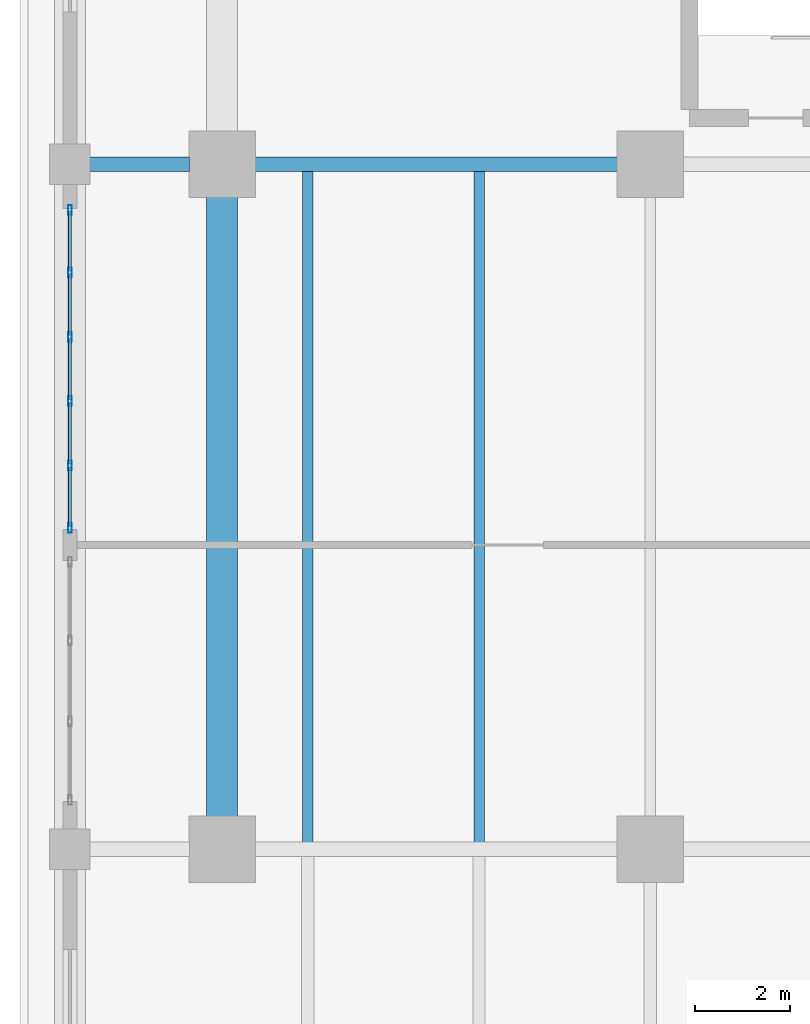
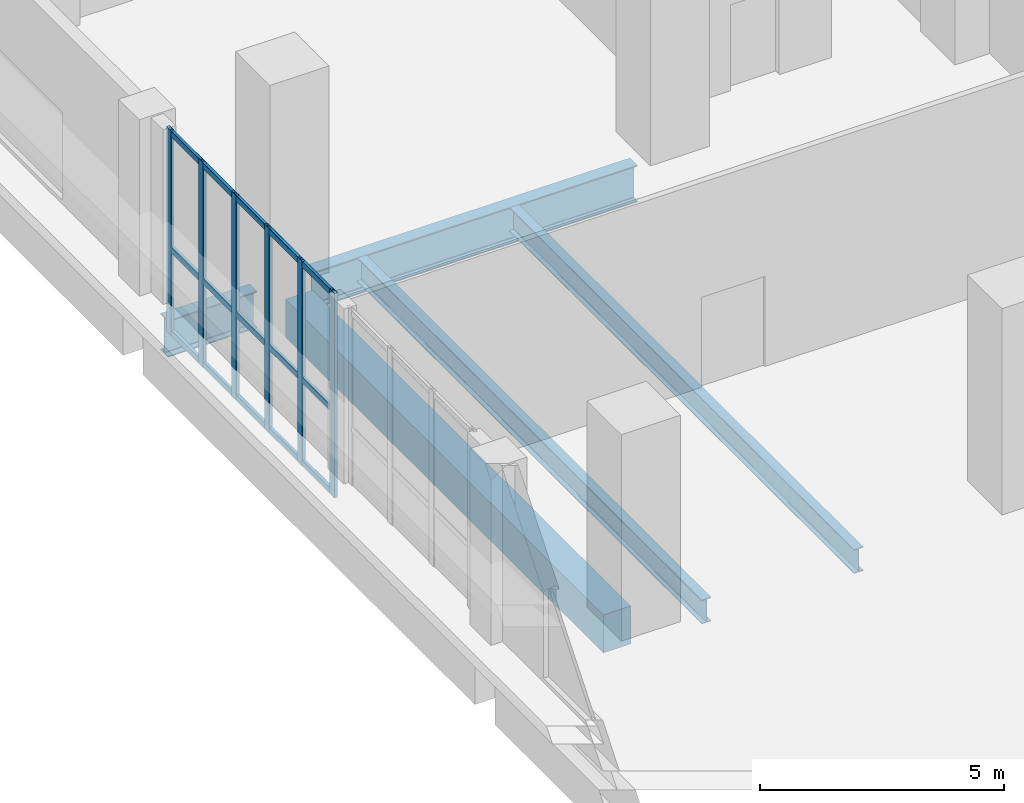
# One storey, part 6 of 25: 21 members, 5 beams, 1 element without a shape of its own.
"""IFC4 building model written with IfcOpenShell, lengths in metres."""

from ifc_helpers import new_model, si_unit, direction, frame, origin, origin_2d, place, context, subcontext, project, spatial, rectangle, hollow_rectangle, i_section, extrude, material, layer, layer_set, material_profile, profile_set, type_object, element, aggregate, save


model = new_model("IFC4")

# Units and contexts
model_context = context("Model", 3, precision=1e-05, world=origin(), true_north=direction((0.0, 1.0)))
body_context = subcontext(model_context, "Body", "Model", "MODEL_VIEW")
ifc_project = project(units=[si_unit("LENGTHUNIT", "METRE"), si_unit("AREAUNIT", "SQUARE_METRE"), si_unit("VOLUMEUNIT", "CUBIC_METRE"), si_unit("PLANEANGLEUNIT", "RADIAN"), si_unit("MASSUNIT", "GRAM", prefix="KILO")], contexts=[model_context])

# Site, building, storey
site_placement = place(None, origin())
site = spatial("IfcSite", under=ifc_project, at=site_placement, CompositionType="ELEMENT")
building_placement = place(site_placement, origin())
building = spatial("IfcBuilding", under=site, at=building_placement, Name="Kaelvorn Grand Hotel", CompositionType="ELEMENT")
storey_placement = place(building_placement, frame((0.0, 0.0, 26.0)))
storey = spatial("IfcBuildingStorey", under=building, at=storey_placement, Name="L04", CompositionType="ELEMENT", Elevation=26.0)

# Beams
ifc_material_1 = material(Name="Steel S355", Category="steel")
ifc_material_profile_1 = material_profile(ifc_material_1, i_section(OverallWidth=0.305419921875, OverallDepth=0.91845703125, WebThickness=0.017333984375, FlangeThickness=0.02783203125, FilletRadius=0.01904296875, at=origin_2d()), Name="UB 914x305x253")
ifc_profile_set_1 = profile_set([ifc_material_profile_1], Name="Steel S355")
beam_type_1 = type_object("IfcBeamType", Name="BM-G-UB914-S355", PredefinedType="BEAM", material=ifc_profile_set_1)
beam_1_placement = place(storey_placement, frame((-2.7900390625, 29.39990234375, -0.779296875), z_axis=(1.0, 0.0, 0.0), x_axis=(0.0, 1.0, 0.0)))
element("IfcBeam", 1, at=beam_1_placement, inside=storey, type_object=beam_type_1, Name="L04 West Core Wing Steel Girder G-29W 01", PredefinedType="BEAM", context=body_context, shape_type="SweptSolid", body=[
    extrude(i_section(OverallWidth=0.305419921875, OverallDepth=0.91845703125, WebThickness=0.017333984375, FlangeThickness=0.02783203125, FilletRadius=0.01904296875, at=origin_2d()), origin(), (0.0, 0.0, 1.0), 2.10498046875),
])
beam_2_placement = place(storey_placement, frame((0.68505859375, 29.39990234375, -0.779296875), z_axis=(1.0, 0.0, 0.0), x_axis=(0.0, 1.0, 0.0)))
element("IfcBeam", 2, at=beam_2_placement, inside=storey, type_object=beam_type_1, Name="L04 West Core Wing Steel Girder G-29W 02", PredefinedType="BEAM", context=body_context, shape_type="SweptSolid", body=[
    extrude(i_section(OverallWidth=0.305419921875, OverallDepth=0.91845703125, WebThickness=0.017333984375, FlangeThickness=0.02783203125, FilletRadius=0.01904296875, at=origin_2d()), origin(), (0.0, 0.0, 1.0), 7.6298828125),
])
ifc_material_profile_2 = material_profile(ifc_material_1, i_section(OverallWidth=0.219970703125, OverallDepth=0.60009765625, WebThickness=0.011962890625, FlangeThickness=0.01904296875, FilletRadius=0.02392578125, at=origin_2d()), Name="IPE 600")
ifc_profile_set_2 = profile_set([ifc_material_profile_2], Name="Steel S355")
beam_type_2 = type_object("IfcBeamType", Name="BM-J-IPE600-S355", PredefinedType="JOIST", material=ifc_profile_set_2)
for number, where, z_axis, x_axis, name in (
    (3, (1.800048828125, 15.1376953125, -0.6201171875), (0.0, 1.0, 0.0), (-1.0, 0.0, 0.0), "L04 Composite Floor Joist JM-01"),
    (4, (5.39990234375, 15.1376953125, -0.6201171875), (0.0, 1.0, 0.0), (-1.0, 0.0, 0.0), "L04 Composite Floor Joist JM-02"),
):
    element("IfcBeam", number, at=place(storey_placement, frame(where, z_axis=z_axis, x_axis=x_axis)), inside=storey, type_object=beam_type_2, Name=name, PredefinedType="JOIST", context=body_context, shape_type="SweptSolid", body=[
        extrude(i_section(OverallWidth=0.219970703125, OverallDepth=0.60009765625, WebThickness=0.011962890625, FlangeThickness=0.01904296875, FilletRadius=0.02392578125, at=origin_2d()), origin(), (0.0, 0.0, 1.0), 14.12451171875),
    ])
ifc_material_2 = material(Name="Concrete C60/75", Category="concrete")
ifc_material_profile_3 = material_profile(ifc_material_2, rectangle(XDim=0.64990234375, YDim=0.949951171875, at=origin_2d()), Name="RC SPANDREL 650x950")
ifc_profile_set_3 = profile_set([ifc_material_profile_3], Name="Concrete C60/75")
beam_type_3 = type_object("IfcBeamType", Name="BM-SP-650x950-C60", PredefinedType="SPANDREL", material=ifc_profile_set_3)
beam_3_placement = place(storey_placement, frame((0.0, 15.68505859375, -0.794921875), z_axis=(0.0, 1.0, 0.0), x_axis=(-1.0, 0.0, 0.0)))
element("IfcBeam", 5, at=beam_3_placement, inside=storey, type_object=beam_type_3, Name="L04 Tower Wing Girder TW 01", PredefinedType="SPANDREL", context=body_context, shape_type="SweptSolid", body=[
    extrude(rectangle(XDim=0.64990234375, YDim=0.949951171875, at=origin_2d()), origin(), (0.0, 0.0, 1.0), 13.030029296875),
])

# Curtain wall, members
ifc_material_3 = material(Name="Anodised Aluminium", Category="aluminium")
ifc_layer = layer(ifc_material_3, 0.199951171875)
ifc_layer_set = layer_set([ifc_layer], Name="Anodised Aluminium")
curtain_wall_type = type_object("IfcCurtainWallType", Name="CW-SYS2", PredefinedType="NOTDEFINED", material=ifc_layer_set)
curtain_wall_placement = place(storey_placement, origin())
curtain_wall = element("IfcCurtainWall", 6, at=curtain_wall_placement, inside=storey, type_object=curtain_wall_type, Name="L04 Unitised Curtain Wall CW2 (CW-L04-W-02)", PredefinedType="NOTDEFINED")
ifc_material_profile_4 = material_profile(ifc_material_3, hollow_rectangle(XDim=0.074951171875, YDim=0.199951171875, WallThickness=0.00390625, InnerFilletRadius=0.00390625, OuterFilletRadius=0.008056640625, at=origin_2d()), Name="ALU MULL 75x200")
ifc_profile_set_4 = profile_set([ifc_material_profile_4], Name="Anodised Aluminium")
member_type_1 = type_object("IfcMemberType", Name="CW-SYS2-MULL", PredefinedType="MULLION", material=ifc_profile_set_4)
member_1_placement = place(storey_placement, frame((-3.199951171875, 28.4423828125, 0.0), z_axis=(0.0, 0.0, 1.0), x_axis=(1.0, 0.0, 0.0)))
member_1 = element("IfcMember", 7, at=member_1_placement, type_object=member_type_1, Name="CW2 mullion 1", PredefinedType="MULLION", context=body_context, shape_type="SweptSolid", body=[
    extrude(hollow_rectangle(XDim=0.074951171875, YDim=0.199951171875, WallThickness=0.00390625, InnerFilletRadius=0.00390625, OuterFilletRadius=0.008056640625, at=origin_2d()), origin(), (0.0, 0.0, 1.0), 5.1201171875),
])
member_2_placement = place(storey_placement, frame((-3.199951171875, 27.1279296875, 0.0), z_axis=(0.0, 0.0, 1.0), x_axis=(1.0, 0.0, 0.0)))
member_2 = element("IfcMember", 8, at=member_2_placement, type_object=member_type_1, Name="CW2 mullion 2", PredefinedType="MULLION", context=body_context, shape_type="SweptSolid", body=[
    extrude(hollow_rectangle(XDim=0.074951171875, YDim=0.199951171875, WallThickness=0.00390625, InnerFilletRadius=0.00390625, OuterFilletRadius=0.008056640625, at=origin_2d()), origin(), (0.0, 0.0, 1.0), 5.1201171875),
])
member_3_placement = place(storey_placement, frame((-3.199951171875, 25.77587890625, 0.0), z_axis=(0.0, 0.0, 1.0), x_axis=(1.0, 0.0, 0.0)))
member_3 = element("IfcMember", 9, at=member_3_placement, type_object=member_type_1, Name="CW2 mullion 3", PredefinedType="MULLION", context=body_context, shape_type="SweptSolid", body=[
    extrude(hollow_rectangle(XDim=0.074951171875, YDim=0.199951171875, WallThickness=0.00390625, InnerFilletRadius=0.00390625, OuterFilletRadius=0.008056640625, at=origin_2d()), origin(), (0.0, 0.0, 1.0), 5.1201171875),
])
member_4_placement = place(storey_placement, frame((-3.199951171875, 24.424072265625, 0.0), z_axis=(0.0, 0.0, 1.0), x_axis=(1.0, 0.0, 0.0)))
member_4 = element("IfcMember", 10, at=member_4_placement, type_object=member_type_1, Name="CW2 mullion 4", PredefinedType="MULLION", context=body_context, shape_type="SweptSolid", body=[
    extrude(hollow_rectangle(XDim=0.074951171875, YDim=0.199951171875, WallThickness=0.00390625, InnerFilletRadius=0.00390625, OuterFilletRadius=0.008056640625, at=origin_2d()), origin(), (0.0, 0.0, 1.0), 5.1201171875),
])
member_5_placement = place(storey_placement, frame((-3.199951171875, 23.072021484375, 0.0), z_axis=(0.0, 0.0, 1.0), x_axis=(1.0, 0.0, 0.0)))
member_5 = element("IfcMember", 11, at=member_5_placement, type_object=member_type_1, Name="CW2 mullion 5", PredefinedType="MULLION", context=body_context, shape_type="SweptSolid", body=[
    extrude(hollow_rectangle(XDim=0.074951171875, YDim=0.199951171875, WallThickness=0.00390625, InnerFilletRadius=0.00390625, OuterFilletRadius=0.008056640625, at=origin_2d()), origin(), (0.0, 0.0, 1.0), 5.1201171875),
])
member_6_placement = place(storey_placement, frame((-3.199951171875, 21.757568359375, 0.0), z_axis=(0.0, 0.0, 1.0), x_axis=(1.0, 0.0, 0.0)))
member_6 = element("IfcMember", 12, at=member_6_placement, type_object=member_type_1, Name="CW2 mullion 6", PredefinedType="MULLION", context=body_context, shape_type="SweptSolid", body=[
    extrude(hollow_rectangle(XDim=0.074951171875, YDim=0.199951171875, WallThickness=0.00390625, InnerFilletRadius=0.00390625, OuterFilletRadius=0.008056640625, at=origin_2d()), origin(), (0.0, 0.0, 1.0), 5.1201171875),
])
ifc_material_profile_5 = material_profile(ifc_material_3, hollow_rectangle(XDim=0.074951171875, YDim=0.14990234375, WallThickness=0.00390625, InnerFilletRadius=0.00390625, OuterFilletRadius=0.008056640625, at=origin_2d()), Name="ALU TRAN 75x150")
ifc_profile_set_5 = profile_set([ifc_material_profile_5], Name="Anodised Aluminium")
member_type_2 = type_object("IfcMemberType", Name="CW-SYS2-TRAN", PredefinedType="NOTDEFINED", material=ifc_profile_set_5)
member_7_placement = place(storey_placement, frame((-3.199951171875, 28.405029296875, 0.074951171875), z_axis=(0.0, -1.0, 0.0), x_axis=(1.0, 0.0, 0.0)))
member_7 = element("IfcMember", 13, at=member_7_placement, type_object=member_type_2, Name="CW2 transom 1.1", ObjectType="TRANSOM", PredefinedType="USERDEFINED", context=body_context, shape_type="SweptSolid", body=[
    extrude(hollow_rectangle(XDim=0.074951171875, YDim=0.14990234375, WallThickness=0.00390625, InnerFilletRadius=0.00390625, OuterFilletRadius=0.008056640625, at=origin_2d()), origin(), (0.0, 0.0, 1.0), 1.239501953125),
])
member_8_placement = place(storey_placement, frame((-3.199951171875, 28.405029296875, 2.150390625), z_axis=(0.0, -1.0, 0.0), x_axis=(1.0, 0.0, 0.0)))
member_8 = element("IfcMember", 14, at=member_8_placement, type_object=member_type_2, Name="CW2 transom 1.2", ObjectType="TRANSOM", PredefinedType="USERDEFINED", context=body_context, shape_type="SweptSolid", body=[
    extrude(hollow_rectangle(XDim=0.074951171875, YDim=0.14990234375, WallThickness=0.00390625, InnerFilletRadius=0.00390625, OuterFilletRadius=0.008056640625, at=origin_2d()), origin(), (0.0, 0.0, 1.0), 1.239501953125),
])
member_9_placement = place(storey_placement, frame((-3.199951171875, 28.405029296875, 5.044921875), z_axis=(0.0, -1.0, 0.0), x_axis=(1.0, 0.0, 0.0)))
member_9 = element("IfcMember", 15, at=member_9_placement, type_object=member_type_2, Name="CW2 transom 1.3", ObjectType="TRANSOM", PredefinedType="USERDEFINED", context=body_context, shape_type="SweptSolid", body=[
    extrude(hollow_rectangle(XDim=0.074951171875, YDim=0.14990234375, WallThickness=0.00390625, InnerFilletRadius=0.00390625, OuterFilletRadius=0.008056640625, at=origin_2d()), origin(), (0.0, 0.0, 1.0), 1.239501953125),
])
member_10_placement = place(storey_placement, frame((-3.199951171875, 27.090576171875, 0.074951171875), z_axis=(0.0, -1.0, 0.0), x_axis=(1.0, 0.0, 0.0)))
member_10 = element("IfcMember", 16, at=member_10_placement, type_object=member_type_2, Name="CW2 transom 2.1", ObjectType="TRANSOM", PredefinedType="USERDEFINED", context=body_context, shape_type="SweptSolid", body=[
    extrude(hollow_rectangle(XDim=0.074951171875, YDim=0.14990234375, WallThickness=0.00390625, InnerFilletRadius=0.00390625, OuterFilletRadius=0.008056640625, at=origin_2d()), origin(), (0.0, 0.0, 1.0), 1.277099609375),
])
member_11_placement = place(storey_placement, frame((-3.199951171875, 27.090576171875, 2.150390625), z_axis=(0.0, -1.0, 0.0), x_axis=(1.0, 0.0, 0.0)))
member_11 = element("IfcMember", 17, at=member_11_placement, type_object=member_type_2, Name="CW2 transom 2.2", ObjectType="TRANSOM", PredefinedType="USERDEFINED", context=body_context, shape_type="SweptSolid", body=[
    extrude(hollow_rectangle(XDim=0.074951171875, YDim=0.14990234375, WallThickness=0.00390625, InnerFilletRadius=0.00390625, OuterFilletRadius=0.008056640625, at=origin_2d()), origin(), (0.0, 0.0, 1.0), 1.277099609375),
])
member_12_placement = place(storey_placement, frame((-3.199951171875, 27.090576171875, 5.044921875), z_axis=(0.0, -1.0, 0.0), x_axis=(1.0, 0.0, 0.0)))
member_12 = element("IfcMember", 18, at=member_12_placement, type_object=member_type_2, Name="CW2 transom 2.3", ObjectType="TRANSOM", PredefinedType="USERDEFINED", context=body_context, shape_type="SweptSolid", body=[
    extrude(hollow_rectangle(XDim=0.074951171875, YDim=0.14990234375, WallThickness=0.00390625, InnerFilletRadius=0.00390625, OuterFilletRadius=0.008056640625, at=origin_2d()), origin(), (0.0, 0.0, 1.0), 1.277099609375),
])
member_13_placement = place(storey_placement, frame((-3.199951171875, 25.738525390625, 0.074951171875), z_axis=(0.0, -1.0, 0.0), x_axis=(1.0, 0.0, 0.0)))
member_13 = element("IfcMember", 19, at=member_13_placement, type_object=member_type_2, Name="CW2 transom 3.1", ObjectType="TRANSOM", PredefinedType="USERDEFINED", context=body_context, shape_type="SweptSolid", body=[
    extrude(hollow_rectangle(XDim=0.074951171875, YDim=0.14990234375, WallThickness=0.00390625, InnerFilletRadius=0.00390625, OuterFilletRadius=0.008056640625, at=origin_2d()), origin(), (0.0, 0.0, 1.0), 1.277099609375),
])
member_14_placement = place(storey_placement, frame((-3.199951171875, 25.738525390625, 2.150390625), z_axis=(0.0, -1.0, 0.0), x_axis=(1.0, 0.0, 0.0)))
member_14 = element("IfcMember", 20, at=member_14_placement, type_object=member_type_2, Name="CW2 transom 3.2", ObjectType="TRANSOM", PredefinedType="USERDEFINED", context=body_context, shape_type="SweptSolid", body=[
    extrude(hollow_rectangle(XDim=0.074951171875, YDim=0.14990234375, WallThickness=0.00390625, InnerFilletRadius=0.00390625, OuterFilletRadius=0.008056640625, at=origin_2d()), origin(), (0.0, 0.0, 1.0), 1.277099609375),
])
member_15_placement = place(storey_placement, frame((-3.199951171875, 25.738525390625, 5.044921875), z_axis=(0.0, -1.0, 0.0), x_axis=(1.0, 0.0, 0.0)))
member_15 = element("IfcMember", 21, at=member_15_placement, type_object=member_type_2, Name="CW2 transom 3.3", ObjectType="TRANSOM", PredefinedType="USERDEFINED", context=body_context, shape_type="SweptSolid", body=[
    extrude(hollow_rectangle(XDim=0.074951171875, YDim=0.14990234375, WallThickness=0.00390625, InnerFilletRadius=0.00390625, OuterFilletRadius=0.008056640625, at=origin_2d()), origin(), (0.0, 0.0, 1.0), 1.277099609375),
])
member_16_placement = place(storey_placement, frame((-3.199951171875, 24.386474609375, 0.074951171875), z_axis=(0.0, -1.0, 0.0), x_axis=(1.0, 0.0, 0.0)))
member_16 = element("IfcMember", 22, at=member_16_placement, type_object=member_type_2, Name="CW2 transom 4.1", ObjectType="TRANSOM", PredefinedType="USERDEFINED", context=body_context, shape_type="SweptSolid", body=[
    extrude(hollow_rectangle(XDim=0.074951171875, YDim=0.14990234375, WallThickness=0.00390625, InnerFilletRadius=0.00390625, OuterFilletRadius=0.008056640625, at=origin_2d()), origin(), (0.0, 0.0, 1.0), 1.27685546875),
])
member_17_placement = place(storey_placement, frame((-3.199951171875, 24.386474609375, 2.150390625), z_axis=(0.0, -1.0, 0.0), x_axis=(1.0, 0.0, 0.0)))
member_17 = element("IfcMember", 23, at=member_17_placement, type_object=member_type_2, Name="CW2 transom 4.2", ObjectType="TRANSOM", PredefinedType="USERDEFINED", context=body_context, shape_type="SweptSolid", body=[
    extrude(hollow_rectangle(XDim=0.074951171875, YDim=0.14990234375, WallThickness=0.00390625, InnerFilletRadius=0.00390625, OuterFilletRadius=0.008056640625, at=origin_2d()), origin(), (0.0, 0.0, 1.0), 1.27685546875),
])
member_18_placement = place(storey_placement, frame((-3.199951171875, 24.386474609375, 5.044921875), z_axis=(0.0, -1.0, 0.0), x_axis=(1.0, 0.0, 0.0)))
member_18 = element("IfcMember", 24, at=member_18_placement, type_object=member_type_2, Name="CW2 transom 4.3", ObjectType="TRANSOM", PredefinedType="USERDEFINED", context=body_context, shape_type="SweptSolid", body=[
    extrude(hollow_rectangle(XDim=0.074951171875, YDim=0.14990234375, WallThickness=0.00390625, InnerFilletRadius=0.00390625, OuterFilletRadius=0.008056640625, at=origin_2d()), origin(), (0.0, 0.0, 1.0), 1.27685546875),
])
member_19_placement = place(storey_placement, frame((-3.199951171875, 23.034423828125, 0.074951171875), z_axis=(0.0, -1.0, 0.0), x_axis=(1.0, 0.0, 0.0)))
member_19 = element("IfcMember", 25, at=member_19_placement, type_object=member_type_2, Name="CW2 transom 5.1", ObjectType="TRANSOM", PredefinedType="USERDEFINED", context=body_context, shape_type="SweptSolid", body=[
    extrude(hollow_rectangle(XDim=0.074951171875, YDim=0.14990234375, WallThickness=0.00390625, InnerFilletRadius=0.00390625, OuterFilletRadius=0.008056640625, at=origin_2d()), origin(), (0.0, 0.0, 1.0), 1.239501953125),
])
member_20_placement = place(storey_placement, frame((-3.199951171875, 23.034423828125, 2.150390625), z_axis=(0.0, -1.0, 0.0), x_axis=(1.0, 0.0, 0.0)))
member_20 = element("IfcMember", 26, at=member_20_placement, type_object=member_type_2, Name="CW2 transom 5.2", ObjectType="TRANSOM", PredefinedType="USERDEFINED", context=body_context, shape_type="SweptSolid", body=[
    extrude(hollow_rectangle(XDim=0.074951171875, YDim=0.14990234375, WallThickness=0.00390625, InnerFilletRadius=0.00390625, OuterFilletRadius=0.008056640625, at=origin_2d()), origin(), (0.0, 0.0, 1.0), 1.239501953125),
])
member_21_placement = place(storey_placement, frame((-3.199951171875, 23.034423828125, 5.044921875), z_axis=(0.0, -1.0, 0.0), x_axis=(1.0, 0.0, 0.0)))
member_21 = element("IfcMember", 27, at=member_21_placement, type_object=member_type_2, Name="CW2 transom 5.3", ObjectType="TRANSOM", PredefinedType="USERDEFINED", context=body_context, shape_type="SweptSolid", body=[
    extrude(hollow_rectangle(XDim=0.074951171875, YDim=0.14990234375, WallThickness=0.00390625, InnerFilletRadius=0.00390625, OuterFilletRadius=0.008056640625, at=origin_2d()), origin(), (0.0, 0.0, 1.0), 1.239501953125),
])
aggregate(curtain_wall, [member_1, member_2, member_3, member_4, member_5, member_6, member_7, member_8, member_9, member_10, member_11, member_12, member_13, member_14, member_15, member_16, member_17, member_18, member_19, member_20, member_21])

save(model, "model.ifc")
